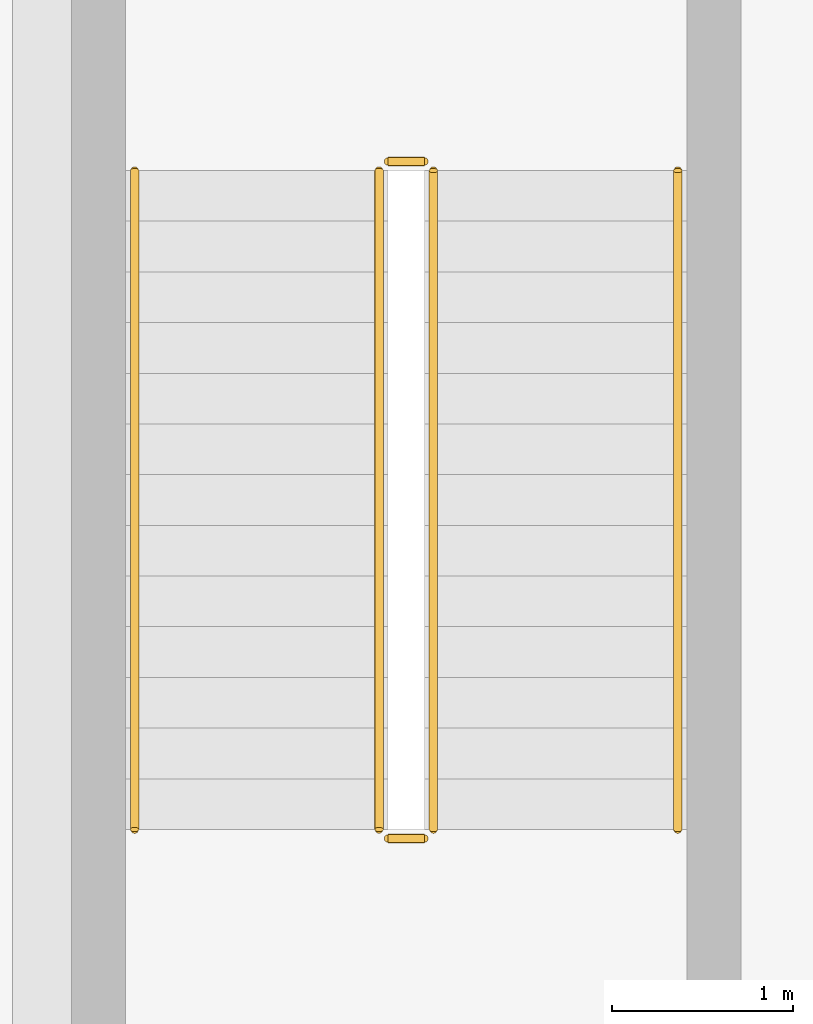
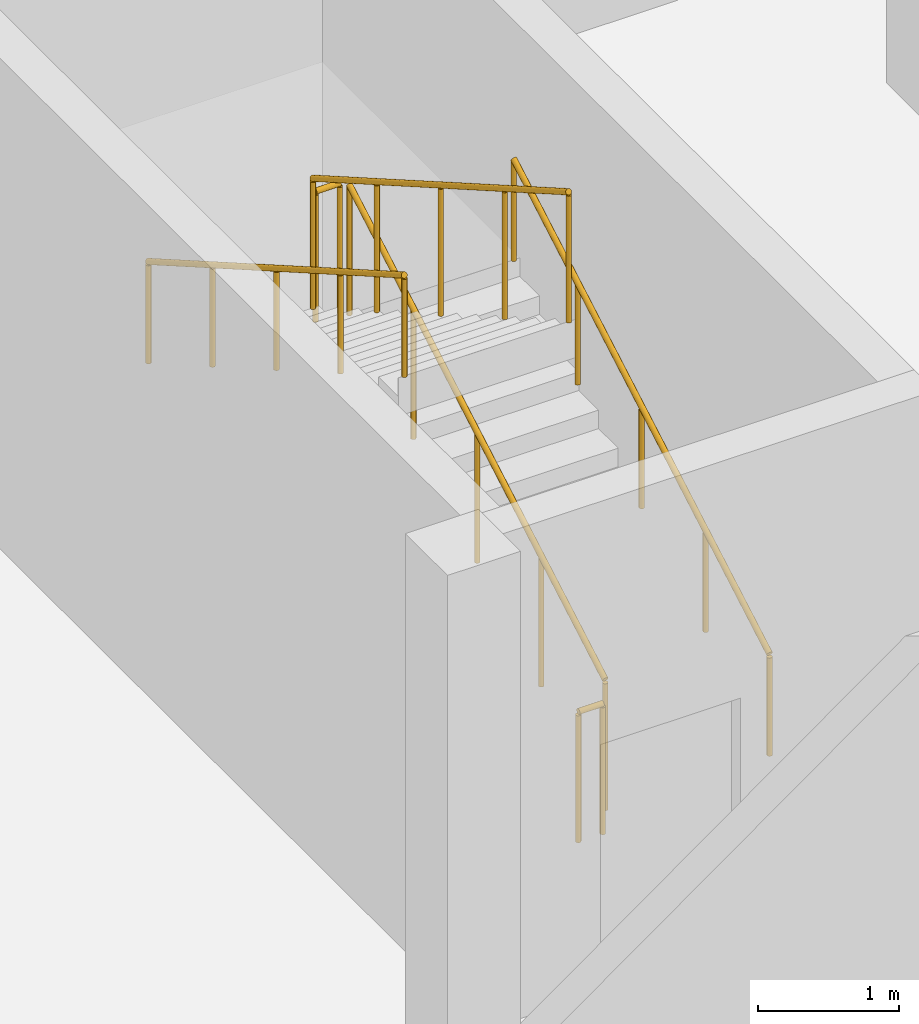
# One storey, part 36 of 38: 6 railings.
"""IFC4 building model written with IfcOpenShell, lengths in metres."""

from ifc_helpers import new_model, si_unit, direction, frame, origin, origin_2d, place, context, subcontext, project, spatial, circle, extrude, material, type_object, element, save


model = new_model("IFC4")

# Units and contexts
model_context = context("Model", 3, precision=1e-05, world=origin(), true_north=direction((0.0, 1.0)))
body_context = subcontext(model_context, "Body", "Model", "MODEL_VIEW")
ifc_project = project(units=[si_unit("LENGTHUNIT", "METRE"), si_unit("AREAUNIT", "SQUARE_METRE"), si_unit("VOLUMEUNIT", "CUBIC_METRE"), si_unit("PLANEANGLEUNIT", "RADIAN"), si_unit("MASSUNIT", "GRAM", prefix="KILO")], contexts=[model_context])

# Site, building, storey
site_placement = place(None, origin())
site = spatial("IfcSite", under=ifc_project, at=site_placement, CompositionType="ELEMENT")
building_placement = place(site_placement, origin())
building = spatial("IfcBuilding", under=site, at=building_placement, Name="Brinegate Botanical Conservatory", CompositionType="ELEMENT")
storey_placement = place(building_placement, frame((0.0, 0.0, 10.199951171875)))
storey = spatial("IfcBuildingStorey", under=building, at=storey_placement, Name="L03", CompositionType="ELEMENT", Elevation=10.199951171875)

# Railings
ifc_material_1 = material(Name="Structural steel Q355B / S355 painted tubular guardrail", Category="steel")
railing_type_1 = type_object("IfcRailingType", Name="Rail_ST-GRD", PredefinedType="GUARDRAIL", material=ifc_material_1)
railing_1_placement = place(storey_placement, frame((105.75, 96.89990234375, 0.16064453125)))
element("IfcRailing", 1, at=railing_1_placement, inside=storey, type_object=railing_type_1, Name="L03 ST4 stair guard 1", PredefinedType="GUARDRAIL", context=body_context, shape_type="SweptSolid", body=[
    extrude(circle(Radius=0.02392578125, at=origin_2d()), frame((0.0, 0.0, 1.1259765625), z_axis=(0.0, 0.867289372828, 0.497804322781), x_axis=(-1.0, 0.0, 0.0)), (0.0, 0.0, 1.0), 4.197021484375),
    extrude(circle(Radius=0.02099609375, at=origin_2d()), origin(), (0.0, 0.0, 1.0), 1.101806640625),
    extrude(circle(Radius=0.02099609375, at=origin_2d()), frame((0.0, 0.91015625, 0.5224609375)), (0.0, 0.0, 1.0), 1.101806640625),
    extrude(circle(Radius=0.02099609375, at=origin_2d()), frame((0.0, 1.820068359375, 1.044677734375)), (0.0, 0.0, 1.0), 1.101806640625),
    extrude(circle(Radius=0.02099609375, at=origin_2d()), frame((0.0, 2.72998046875, 1.56689453125)), (0.0, 0.0, 1.0), 1.101806640625),
    extrude(circle(Radius=0.02099609375, at=origin_2d()), frame((0.0, 3.64013671875, 2.08935546875)), (0.0, 0.0, 1.0), 1.101806640625),
])
railing_2_placement = place(storey_placement, frame((105.699951171875, 100.590087890625, 2.25)))
element("IfcRailing", 2, at=railing_2_placement, inside=storey, type_object=railing_type_1, Name="L03 ST4 stair guard 2", PredefinedType="GUARDRAIL", context=body_context, shape_type="SweptSolid", body=[
    extrude(circle(Radius=0.02392578125, at=origin_2d()), frame((0.0, 0.0, 1.1259765625), z_axis=(-1.0, 0.0, 0.0), x_axis=(0.0, -1.0, 0.0)), (0.0, 0.0, 1.0), 0.199951171875),
    extrude(circle(Radius=0.02099609375, at=origin_2d()), origin(), (0.0, 0.0, 1.0), 1.101806640625),
    extrude(circle(Radius=0.02099609375, at=origin_2d()), frame((-0.199951171875, 0.0, 0.0)), (0.0, 0.0, 1.0), 1.101806640625),
])
railing_3_placement = place(storey_placement, frame((105.449951171875, 100.5400390625, 2.41064453125)))
element("IfcRailing", 3, at=railing_3_placement, inside=storey, type_object=railing_type_1, Name="L03 ST4 stair guard 3", PredefinedType="GUARDRAIL", context=body_context, shape_type="SweptSolid", body=[
    extrude(circle(Radius=0.02392578125, at=origin_2d()), frame((0.0, 0.0, 1.1259765625), z_axis=(0.0, -0.867289372828, 0.497804322781), x_axis=(1.0, 0.0, 0.0)), (0.0, 0.0, 1.0), 4.197021484375),
    extrude(circle(Radius=0.02099609375, at=origin_2d()), origin(), (0.0, 0.0, 1.0), 1.101806640625),
    extrude(circle(Radius=0.02099609375, at=origin_2d()), frame((0.0, -0.91015625, 0.5224609375)), (0.0, 0.0, 1.0), 1.101806640625),
    extrude(circle(Radius=0.02099609375, at=origin_2d()), frame((0.0, -1.820068359375, 1.044677734375)), (0.0, 0.0, 1.0), 1.101806640625),
    extrude(circle(Radius=0.02099609375, at=origin_2d()), frame((0.0, -2.72998046875, 1.56689453125)), (0.0, 0.0, 1.0), 1.101806640625),
    extrude(circle(Radius=0.02099609375, at=origin_2d()), frame((0.0, -3.64013671875, 2.08935546875)), (0.0, 0.0, 1.0), 1.101806640625),
])
railing_4_placement = place(storey_placement, frame((105.699951171875, 96.85009765625, 0.0)))
element("IfcRailing", 4, at=railing_4_placement, inside=storey, type_object=railing_type_1, Name="L03 ST4 stair guard 4", PredefinedType="GUARDRAIL", context=body_context, shape_type="SweptSolid", body=[
    extrude(circle(Radius=0.02392578125, at=origin_2d()), frame((0.0, 0.0, 1.1259765625), z_axis=(-1.0, 0.0, 0.0), x_axis=(0.0, -1.0, 0.0)), (0.0, 0.0, 1.0), 0.199951171875),
    extrude(circle(Radius=0.02099609375, at=origin_2d()), origin(), (0.0, 0.0, 1.0), 1.101806640625),
    extrude(circle(Radius=0.02099609375, at=origin_2d()), frame((-0.199951171875, 0.0, 0.0)), (0.0, 0.0, 1.0), 1.101806640625),
])
ifc_material_2 = material(Name="Brushed stainless steel S355 handrail", Category="steel")
railing_type_2 = type_object("IfcRailingType", Name="Rail_ST-HND", PredefinedType="HANDRAIL", material=ifc_material_2)
railing_5_placement = place(storey_placement, frame((107.10009765625, 96.89990234375, 0.16064453125)))
element("IfcRailing", 5, at=railing_5_placement, inside=storey, type_object=railing_type_2, Name="L03 ST4 stair handrail 1", PredefinedType="HANDRAIL", context=body_context, shape_type="SweptSolid", body=[
    extrude(circle(Radius=0.02392578125, at=origin_2d()), frame((0.0, 0.0, 0.8759765625), z_axis=(0.0, 0.867289372828, 0.497804322781), x_axis=(-1.0, 0.0, 0.0)), (0.0, 0.0, 1.0), 4.197021484375),
    extrude(circle(Radius=0.02099609375, at=origin_2d()), origin(), (0.0, 0.0, 1.0), 0.851806640625),
    extrude(circle(Radius=0.02099609375, at=origin_2d()), frame((0.0, 0.91015625, 0.5224609375)), (0.0, 0.0, 1.0), 0.851806640625),
    extrude(circle(Radius=0.02099609375, at=origin_2d()), frame((0.0, 1.820068359375, 1.044677734375)), (0.0, 0.0, 1.0), 0.851806640625),
    extrude(circle(Radius=0.02099609375, at=origin_2d()), frame((0.0, 2.72998046875, 1.56689453125)), (0.0, 0.0, 1.0), 0.851806640625),
    extrude(circle(Radius=0.02099609375, at=origin_2d()), frame((0.0, 3.64013671875, 2.08935546875)), (0.0, 0.0, 1.0), 0.851806640625),
])
railing_6_placement = place(storey_placement, frame((104.10009765625, 100.5400390625, 2.41064453125)))
element("IfcRailing", 6, at=railing_6_placement, inside=storey, type_object=railing_type_2, Name="L03 ST4 stair handrail 2", PredefinedType="HANDRAIL", context=body_context, shape_type="SweptSolid", body=[
    extrude(circle(Radius=0.02392578125, at=origin_2d()), frame((0.0, 0.0, 0.8759765625), z_axis=(0.0, -0.867289372828, 0.497804322781), x_axis=(1.0, 0.0, 0.0)), (0.0, 0.0, 1.0), 4.197021484375),
    extrude(circle(Radius=0.02099609375, at=origin_2d()), origin(), (0.0, 0.0, 1.0), 0.851806640625),
    extrude(circle(Radius=0.02099609375, at=origin_2d()), frame((0.0, -0.91015625, 0.5224609375)), (0.0, 0.0, 1.0), 0.851806640625),
    extrude(circle(Radius=0.02099609375, at=origin_2d()), frame((0.0, -1.820068359375, 1.044677734375)), (0.0, 0.0, 1.0), 0.851806640625),
    extrude(circle(Radius=0.02099609375, at=origin_2d()), frame((0.0, -2.72998046875, 1.56689453125)), (0.0, 0.0, 1.0), 0.851806640625),
    extrude(circle(Radius=0.02099609375, at=origin_2d()), frame((0.0, -3.64013671875, 2.08935546875)), (0.0, 0.0, 1.0), 0.851806640625),
])

save(model, "model.ifc")
